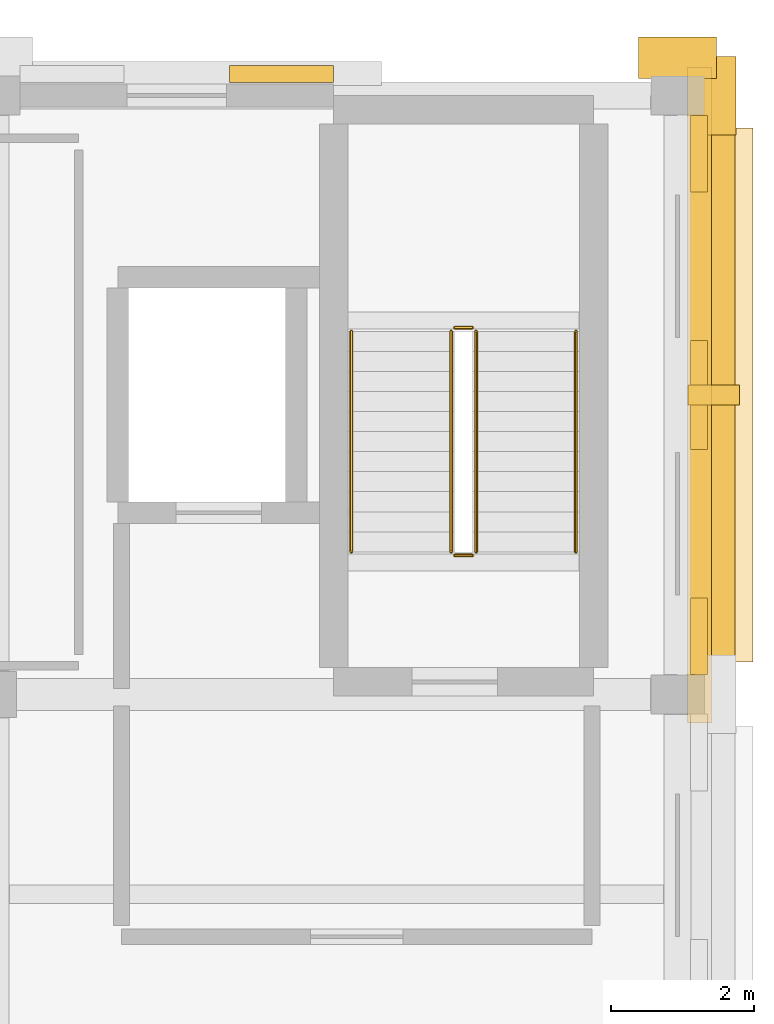
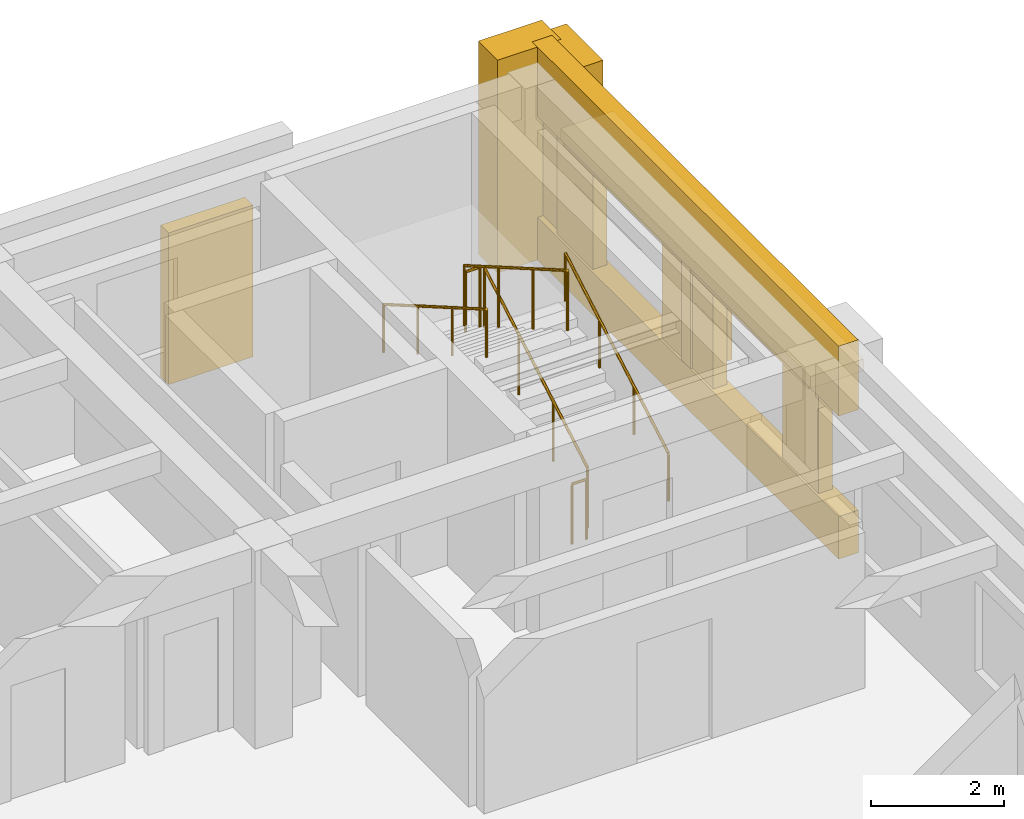
# One storey, part 7 of 7: 10 coverings, 6 railings, 1 shading device.
"""IFC4 building model written with IfcOpenShell, lengths in metres."""

from ifc_helpers import new_model, si_unit, direction, frame, origin, origin_2d, place, context, subcontext, project, spatial, rectangle, circle, extrude, material, layer, layer_set, type_object, element, save


model = new_model("IFC4")

# Units and contexts
model_context = context("Model", 3, precision=1e-05, world=origin(), true_north=direction((0.0, 1.0)))
body_context = subcontext(model_context, "Body", "Model", "MODEL_VIEW")
ifc_project = project(units=[si_unit("LENGTHUNIT", "METRE"), si_unit("AREAUNIT", "SQUARE_METRE"), si_unit("VOLUMEUNIT", "CUBIC_METRE"), si_unit("PLANEANGLEUNIT", "RADIAN"), si_unit("MASSUNIT", "GRAM", prefix="KILO")], contexts=[model_context])

# Site, building, storey
site_placement = place(None, origin())
site = spatial("IfcSite", under=ifc_project, at=site_placement, CompositionType="ELEMENT")
building_placement = place(site_placement, origin())
building = spatial("IfcBuilding", under=site, at=building_placement, Name="Bempovik Park Faculty of Sciences", CompositionType="ELEMENT")
storey_placement = place(building_placement, frame((0.0, 0.0, 42.300048828125)))
storey = spatial("IfcBuildingStorey", under=building, at=storey_placement, Name="L10", CompositionType="ELEMENT", Elevation=42.300048828125)

# Coverings
ifc_material_1 = material(Name="Precast concrete C40/50", Category="concrete")
ifc_layer_1 = layer(ifc_material_1, 0.179931640625)
ifc_layer_set_1 = layer_set([ifc_layer_1], Name="Precast concrete C40/50")
covering_type_1 = type_object("IfcCoveringType", Name="CL-02 Classical Cornice Band 180mm", PredefinedType="CLADDING", material=ifc_layer_set_1)
covering_1_placement = place(storey_placement, frame((108.60009765625, 115.199951171875, 2.60986328125), z_axis=(0.0, 0.0, 1.0), x_axis=(1.0, 0.0, 0.0)))
element("IfcCovering", 1, at=covering_1_placement, inside=storey, type_object=covering_type_1, Name="L10 Classical Stone Solar Window Hood EW-L10-11162", PredefinedType="CLADDING", context=body_context, shape_type="SweptSolid", body=[
    extrude(rectangle(XDim=0.919921875, YDim=7.49609375, at=origin_2d()), origin(), (0.0, 0.0, 1.0), 0.219970703125),
])
ifc_material_2 = material(Name="White reconstituted limestone precast C40/50", Category="masonry")
ifc_layer_2 = layer(ifc_material_2, 0.239990234375)
ifc_layer_set_2 = layer_set([ifc_layer_2], Name="White reconstituted limestone precast C40/50")
covering_type_2 = type_object("IfcCoveringType", Name="CL-03 Classical Fluted Limestone Pilaster 240mm", PredefinedType="CLADDING", material=ifc_layer_set_2)
covering_2_placement = place(storey_placement, frame((108.31005859375, 115.199951171875, 2.6201171875), z_axis=(0.0, 0.0, 1.0), x_axis=(1.0, 0.0, 0.0)))
element("IfcCovering", 2, at=covering_2_placement, inside=storey, type_object=covering_type_2, Name="L10 Classical Limestone Spandrel Entablature EW-L10-11162", PredefinedType="CLADDING", context=body_context, shape_type="SweptSolid", body=[
    extrude(rectangle(XDim=0.340087890625, YDim=9.196044921875, at=origin_2d()), origin(), (0.0, 0.0, 1.0), 1.280029296875),
])
covering_3_placement = place(storey_placement, frame((108.31005859375, 115.199951171875, 0.0), z_axis=(0.0, 0.0, 1.0), x_axis=(1.0, 0.0, 0.0)))
element("IfcCovering", 3, at=covering_3_placement, inside=storey, type_object=covering_type_2, Name="L10 Classical Limestone Sill Dado EW-L10-11162", PredefinedType="CLADDING", context=body_context, shape_type="SweptSolid", body=[
    extrude(rectangle(XDim=0.340087890625, YDim=9.196044921875, at=origin_2d()), origin(), (0.0, 0.0, 1.0), 0.780029296875),
])
covering_4_placement = place(storey_placement, frame((108.530029296875, 119.39990234375, 0.0), z_axis=(0.0, 0.0, 1.0), x_axis=(1.0, 0.0, 0.0)))
element("IfcCovering", 4, at=covering_4_placement, inside=storey, type_object=covering_type_2, Name="L10 Classical Fluted Stone Pilaster PIL-BA-L10-1085-1194", PredefinedType="CLADDING", context=body_context, shape_type="SweptSolid", body=[
    extrude(rectangle(XDim=0.580078125, YDim=1.10009765625, at=origin_2d()), origin(), (0.0, 0.0, 1.0), 3.89990234375),
])
covering_5_placement = place(storey_placement, frame((108.300048828125, 111.816162109375, 0.0), z_axis=(0.0, 0.0, 1.0), x_axis=(1.0, 0.0, 0.0)))
element("IfcCovering", 5, at=covering_5_placement, inside=storey, type_object=covering_type_2, Name="L10 White Limestone Wall Cheek EW-L10-11162-0", PredefinedType="CLADDING", context=body_context, shape_type="SweptSolid", body=[
    extrude(rectangle(XDim=0.239990234375, YDim=1.078369140625, at=origin_2d()), origin(), (0.0, 0.0, 1.0), 2.780029296875),
])
covering_6_placement = place(storey_placement, frame((108.300048828125, 115.199951171875, 0.0), z_axis=(0.0, 0.0, 1.0), x_axis=(1.0, 0.0, 0.0)))
element("IfcCovering", 6, at=covering_6_placement, inside=storey, type_object=covering_type_2, Name="L10 White Limestone Wall Cheek EW-L10-11162-2", PredefinedType="CLADDING", context=body_context, shape_type="SweptSolid", body=[
    extrude(rectangle(XDim=0.239990234375, YDim=1.529296875, at=origin_2d()), origin(), (0.0, 0.0, 1.0), 2.780029296875),
])
covering_7_placement = place(storey_placement, frame((108.300048828125, 118.583740234375, 0.0), z_axis=(0.0, 0.0, 1.0), x_axis=(1.0, 0.0, 0.0)))
element("IfcCovering", 7, at=covering_7_placement, inside=storey, type_object=covering_type_2, Name="L10 White Limestone Wall Cheek EW-L10-11162-4", PredefinedType="CLADDING", context=body_context, shape_type="SweptSolid", body=[
    extrude(rectangle(XDim=0.239990234375, YDim=1.078369140625, at=origin_2d()), origin(), (0.0, 0.0, 1.0), 2.780029296875),
])
covering_8_placement = place(storey_placement, frame((108.510009765625, 115.199951171875, 0.7001953125), z_axis=(0.0, 0.0, 1.0), x_axis=(1.0, 0.0, 0.0)))
element("IfcCovering", 8, at=covering_8_placement, inside=storey, type_object=covering_type_2, Name="L10 Classical Vertical Stone Shading Fin EW-L10-11162", PredefinedType="CLADDING", context=body_context, shape_type="SweptSolid", body=[
    extrude(rectangle(XDim=0.719970703125, YDim=0.280029296875, at=origin_2d()), origin(), (0.0, 0.0, 1.0), 1.949951171875),
])
covering_9_placement = place(storey_placement, frame((108.0, 119.929931640625, 0.0), z_axis=(0.0, 0.0, 1.0), x_axis=(1.0, 0.0, 0.0)))
element("IfcCovering", 9, at=covering_9_placement, inside=storey, type_object=covering_type_2, Name="L10 Classical Fluted Stone Pilaster PIL-BA-L10-1080-1199", PredefinedType="CLADDING", context=body_context, shape_type="SweptSolid", body=[
    extrude(rectangle(XDim=1.10009765625, YDim=0.580078125, at=origin_2d()), origin(), (0.0, 0.0, 1.0), 3.89990234375),
])
covering_10_placement = place(storey_placement, frame((102.444580078125, 119.699951171875, 0.0), z_axis=(0.0, 0.0, 1.0), x_axis=(1.0, 0.0, 0.0)))
element("IfcCovering", 10, at=covering_10_placement, inside=storey, type_object=covering_type_2, Name="L10 Stairwell White Limestone Cheek EW-L10-11201-2", PredefinedType="CLADDING", context=body_context, shape_type="SweptSolid", body=[
    extrude(rectangle(XDim=1.45849609375, YDim=0.239990234375, at=origin_2d()), origin(), (0.0, 0.0, 1.0), 2.780029296875),
])

# Railings
ifc_material_3 = material(Name="Anodised architectural bronze")
railing_type_1 = type_object("IfcRailingType", Name="GR-01 Guardrail 1120mm", PredefinedType="GUARDRAIL", material=ifc_material_3)
railing_1_placement = place(storey_placement, frame((105.175048828125, 113.0, 0.162353515625)))
element("IfcRailing", 11, at=railing_1_placement, inside=storey, type_object=railing_type_1, Name="L10 ST-2 Stair Guard 1", PredefinedType="GUARDRAIL", context=body_context, shape_type="SweptSolid", body=[
    extrude(circle(Radius=0.02392578125, at=origin_2d()), frame((0.0, 0.0, 1.09619140625), z_axis=(0.0, 0.865853233856, 0.500298088565), x_axis=(-1.0, 0.0, 0.0)), (0.0, 0.0, 1.0), 3.572998046875),
    extrude(circle(Radius=0.02099609375, at=origin_2d()), origin(), (0.0, 0.0, 1.0), 1.072021484375),
    extrude(circle(Radius=0.02099609375, at=origin_2d()), frame((0.0, 1.03125, 0.595947265625)), (0.0, 0.0, 1.0), 1.072021484375),
    extrude(circle(Radius=0.02099609375, at=origin_2d()), frame((0.0, 2.0625, 1.191650390625)), (0.0, 0.0, 1.0), 1.072021484375),
    extrude(circle(Radius=0.02099609375, at=origin_2d()), frame((0.0, 3.09375, 1.78759765625)), (0.0, 0.0, 1.0), 1.072021484375),
])
railing_2_placement = place(storey_placement, frame((105.125, 116.143798828125, 1.949951171875)))
element("IfcRailing", 12, at=railing_2_placement, inside=storey, type_object=railing_type_1, Name="L10 ST-2 Stair Guard 2", PredefinedType="GUARDRAIL", context=body_context, shape_type="SweptSolid", body=[
    extrude(circle(Radius=0.02392578125, at=origin_2d()), frame((0.0, 0.0, 1.09619140625), z_axis=(-1.0, 0.0, 0.0), x_axis=(0.0, -1.0, 0.0)), (0.0, 0.0, 1.0), 0.25),
    extrude(circle(Radius=0.02099609375, at=origin_2d()), origin(), (0.0, 0.0, 1.0), 1.072021484375),
    extrude(circle(Radius=0.02099609375, at=origin_2d()), frame((-0.25, 0.0, 0.0)), (0.0, 0.0, 1.0), 1.072021484375),
])
railing_3_placement = place(storey_placement, frame((104.824951171875, 116.09375, 2.112548828125)))
element("IfcRailing", 13, at=railing_3_placement, inside=storey, type_object=railing_type_1, Name="L10 ST-2 Stair Guard 3", PredefinedType="GUARDRAIL", context=body_context, shape_type="SweptSolid", body=[
    extrude(circle(Radius=0.02392578125, at=origin_2d()), frame((0.0, 0.0, 1.09619140625), z_axis=(0.0, -0.865882832026, 0.500246860263), x_axis=(1.0, 0.0, 0.0)), (0.0, 0.0, 1.0), 3.572998046875),
    extrude(circle(Radius=0.02099609375, at=origin_2d()), origin(), (0.0, 0.0, 1.0), 1.072021484375),
    extrude(circle(Radius=0.02099609375, at=origin_2d()), frame((0.0, -1.03125, 0.595703125)), (0.0, 0.0, 1.0), 1.072021484375),
    extrude(circle(Radius=0.02099609375, at=origin_2d()), frame((0.0, -2.0625, 1.191650390625)), (0.0, 0.0, 1.0), 1.072021484375),
    extrude(circle(Radius=0.02099609375, at=origin_2d()), frame((0.0, -3.09375, 1.787353515625)), (0.0, 0.0, 1.0), 1.072021484375),
])
railing_4_placement = place(storey_placement, frame((105.125, 112.949951171875, 0.0)))
element("IfcRailing", 14, at=railing_4_placement, inside=storey, type_object=railing_type_1, Name="L10 ST-2 Stair Guard 4", PredefinedType="GUARDRAIL", context=body_context, shape_type="SweptSolid", body=[
    extrude(circle(Radius=0.02392578125, at=origin_2d()), frame((0.0, 0.0, 1.09619140625), z_axis=(-1.0, 0.0, 0.0), x_axis=(0.0, -1.0, 0.0)), (0.0, 0.0, 1.0), 0.25),
    extrude(circle(Radius=0.02099609375, at=origin_2d()), origin(), (0.0, 0.0, 1.0), 1.072021484375),
    extrude(circle(Radius=0.02099609375, at=origin_2d()), frame((-0.25, 0.0, 0.0)), (0.0, 0.0, 1.0), 1.072021484375),
])
railing_type_2 = type_object("IfcRailingType", Name="HR-01 Wall Handrail 900mm", PredefinedType="HANDRAIL", material=ifc_material_3)
railing_5_placement = place(storey_placement, frame((106.574951171875, 113.0, 0.162353515625)))
element("IfcRailing", 15, at=railing_5_placement, inside=storey, type_object=railing_type_2, Name="L10 ST-2 Stair Handrail 1", PredefinedType="HANDRAIL", context=body_context, shape_type="SweptSolid", body=[
    extrude(circle(Radius=0.02392578125, at=origin_2d()), frame((0.0, 0.0, 0.8759765625), z_axis=(0.0, 0.865853233856, 0.500298088565), x_axis=(-1.0, 0.0, 0.0)), (0.0, 0.0, 1.0), 3.572998046875),
    extrude(circle(Radius=0.02099609375, at=origin_2d()), origin(), (0.0, 0.0, 1.0), 0.851806640625),
    extrude(circle(Radius=0.02099609375, at=origin_2d()), frame((0.0, 1.03125, 0.595947265625)), (0.0, 0.0, 1.0), 0.851806640625),
    extrude(circle(Radius=0.02099609375, at=origin_2d()), frame((0.0, 2.0625, 1.191650390625)), (0.0, 0.0, 1.0), 0.851806640625),
    extrude(circle(Radius=0.02099609375, at=origin_2d()), frame((0.0, 3.09375, 1.78759765625)), (0.0, 0.0, 1.0), 0.851806640625),
])
railing_6_placement = place(storey_placement, frame((103.425048828125, 116.09375, 2.112548828125)))
element("IfcRailing", 16, at=railing_6_placement, inside=storey, type_object=railing_type_2, Name="L10 ST-2 Stair Handrail 2", PredefinedType="HANDRAIL", context=body_context, shape_type="SweptSolid", body=[
    extrude(circle(Radius=0.02392578125, at=origin_2d()), frame((0.0, 0.0, 0.8759765625), z_axis=(0.0, -0.865882832026, 0.500246860263), x_axis=(1.0, 0.0, 0.0)), (0.0, 0.0, 1.0), 3.572998046875),
    extrude(circle(Radius=0.02099609375, at=origin_2d()), origin(), (0.0, 0.0, 1.0), 0.851806640625),
    extrude(circle(Radius=0.02099609375, at=origin_2d()), frame((0.0, -1.03125, 0.595703125)), (0.0, 0.0, 1.0), 0.851806640625),
    extrude(circle(Radius=0.02099609375, at=origin_2d()), frame((0.0, -2.0625, 1.191650390625)), (0.0, 0.0, 1.0), 0.851806640625),
    extrude(circle(Radius=0.02099609375, at=origin_2d()), frame((0.0, -3.09375, 1.787353515625)), (0.0, 0.0, 1.0), 0.851806640625),
])

# Shading device
ifc_layer_3 = layer(ifc_material_3, 0.06005859375)
ifc_layer_set_3 = layer_set([ifc_layer_3], Name="Anodised architectural bronze")
shading_device_type = type_object("IfcShadingDeviceType", Name="SH-01 Bronze Brise-Soleil Fin", PredefinedType="USERDEFINED", material=ifc_layer_set_3)
shading_device_placement = place(storey_placement, frame((108.47998046875, 115.199951171875, 2.5498046875), z_axis=(0.0, 0.0, 1.0), x_axis=(1.0, 0.0, 0.0)))
element("IfcShadingDevice", 17, at=shading_device_placement, inside=storey, type_object=shading_device_type, Name="L10 Equatorial Bronze Brise-Soleil EW-L10-11162", ObjectType="BRISE SOLEIL", PredefinedType="USERDEFINED", context=body_context, shape_type="SweptSolid", body=[
    extrude(rectangle(XDim=0.64990234375, YDim=7.345947265625, at=origin_2d()), origin(), (0.0, 0.0, 1.0), 0.06005859375),
])

save(model, "model.ifc")
